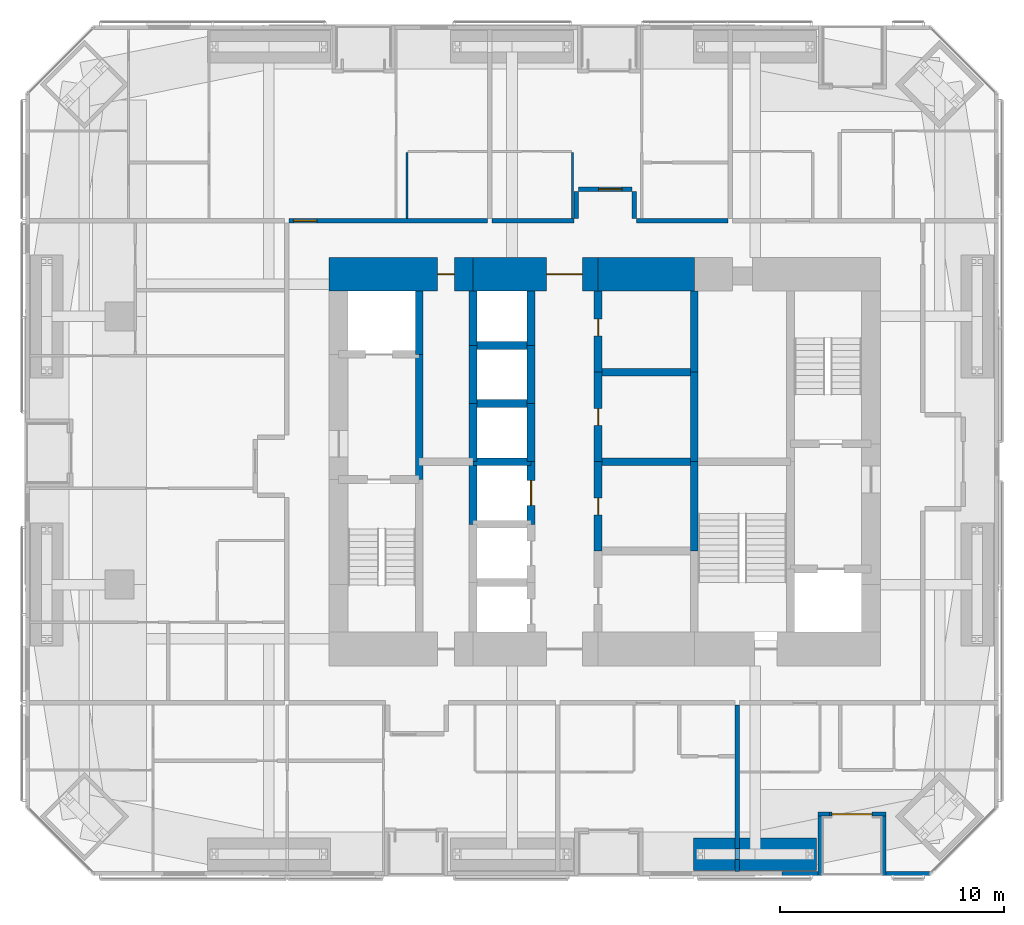
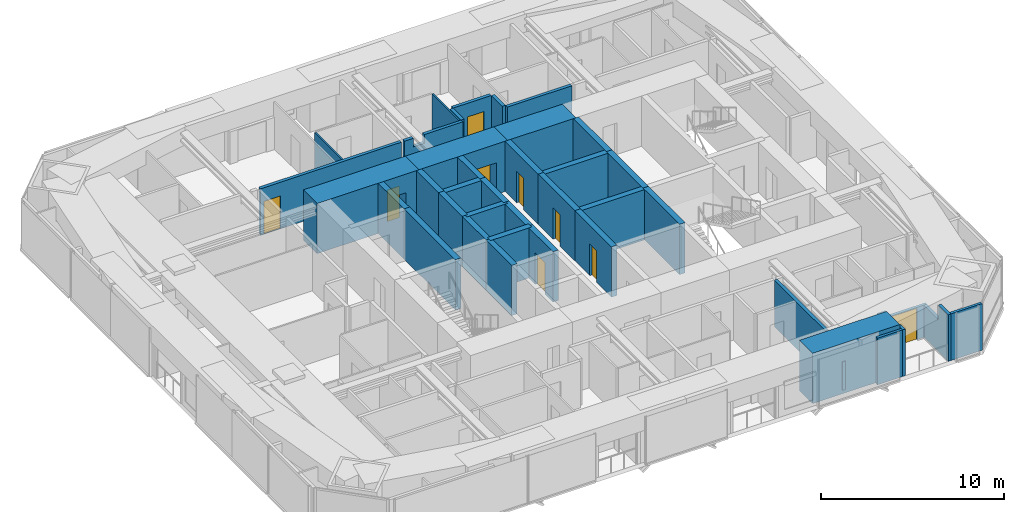
# One storey, part 19 of 23: 40 walls, 9 doors, 9 openings.
"""IFC4 building model written with IfcOpenShell, lengths in metres."""

import ifcopenshell
import ifcopenshell.guid

model = None  # the IFC model being written
_history = None  # IfcOwnerHistory: only IFC2X3 demands one
_inside = {}  # id of a spatial element -> (the spatial element, [elements in it])
_under = {}  # id of a project, library or spatial element -> (it, [spatial elements below it])
_declared = {}  # id of a project -> (the project, [libraries it declares])
_typed = {}  # id of a type object -> (the type object, [elements of that type])
_made_of = {}  # id of a material, layer set ... -> (it, [elements and type objects made of it])


def new_model(schema):
    """Start an empty IFC model of exactly this schema.

    Asked for "IFC4X3", IfcOpenShell would pick the latest addendum, in which some entities
    have other attributes; the version numbers below select the first issue.
    IFC2X3 requires an IfcOwnerHistory on every rooted entity: one is made here for all.
    """
    global model, _history
    if schema == "IFC4X3":
        model = ifcopenshell.file(schema_version=(4, 3, 0, 0))
    else:
        model = ifcopenshell.file(schema=schema)
    _inside.clear()
    _under.clear()
    _declared.clear()
    _typed.clear()
    _made_of.clear()
    _history = None
    if model.schema == "IFC2X3":
        org = make("IfcOrganization", Name="unknown")
        user = make(
            "IfcPersonAndOrganization",
            ThePerson=make("IfcPerson", FamilyName="unknown"),
            TheOrganization=org,
        )
        app = make(
            "IfcApplication",
            ApplicationDeveloper=org,
            Version="unknown",
            ApplicationFullName="unknown",
            ApplicationIdentifier="unknown",
        )
        _history = make(
            "IfcOwnerHistory",
            OwningUser=user,
            OwningApplication=app,
            ChangeAction="ADDED",
            CreationDate=0,
        )
    return model


def make(cls, **values):
    """One entity of the class cls with the attributes given. An attribute that is None is left unset."""
    return model.create_entity(
        cls, **{name: value for name, value in values.items() if value is not None}
    )


def rooted(cls, **values):
    """An entity with a GlobalId (a new one), such as an element, a storey or a relation."""
    return make(cls, GlobalId=ifcopenshell.guid.new(), OwnerHistory=_history, **values)


def si_unit(unit_type, name, prefix=None):
    """IfcSIUnit, for example si_unit("LENGTHUNIT", "METRE", prefix="MILLI")."""
    return make("IfcSIUnit", UnitType=unit_type, Prefix=prefix, Name=name)


def assignment(units):
    """IfcUnitAssignment: the units of a project."""
    return None if units is None else make("IfcUnitAssignment", Units=units)


def point(xyz):
    """IfcCartesianPoint."""
    return None if xyz is None else make("IfcCartesianPoint", Coordinates=xyz)


def direction(xyz):
    """IfcDirection."""
    return None if xyz is None else make("IfcDirection", DirectionRatios=xyz)


def frame(location, z_axis=None, x_axis=None):
    """IfcAxis2Placement3D, a coordinate frame: its origin and axes. An axis left out is left unset."""
    return make(
        "IfcAxis2Placement3D",
        Location=point(location),
        Axis=direction(z_axis),
        RefDirection=direction(x_axis),
    )


def frame_2d(location, x_axis=None):
    """IfcAxis2Placement2D, a coordinate frame in the plane: its origin and x axis."""
    return make(
        "IfcAxis2Placement2D", Location=point(location), RefDirection=direction(x_axis)
    )


def origin():
    """The frame at (0, 0, 0) with its axes left unset."""
    return frame((0.0, 0.0, 0.0))


def place(relative_to, where):
    """IfcLocalPlacement: puts the frame where relative to a parent placement (None: the world)."""
    return make(
        "IfcLocalPlacement", PlacementRelTo=relative_to, RelativePlacement=where
    )


def context(
    kind, dimensions, precision=None, world=None, true_north=None, identifier=None
):
    """IfcGeometricRepresentationContext, for example the 3D "Model" context."""
    return make(
        "IfcGeometricRepresentationContext",
        ContextIdentifier=identifier,
        ContextType=kind,
        CoordinateSpaceDimension=dimensions,
        Precision=precision,
        WorldCoordinateSystem=world,
        TrueNorth=true_north,
    )


def subcontext(parent, identifier, kind, view, scale=None):
    """IfcGeometricRepresentationSubContext, for example "Body" below "Model"."""
    return make(
        "IfcGeometricRepresentationSubContext",
        ContextIdentifier=identifier,
        ContextType=kind,
        ParentContext=parent,
        TargetScale=scale,
        TargetView=view,
    )


def project(units=None, contexts=None):
    """IfcProject with its units and contexts."""
    return rooted(
        "IfcProject",
        Name="project",
        RepresentationContexts=contexts,
        UnitsInContext=assignment(units),
    )


def spatial(cls, under=None, at=None, **own):
    """A site, building, storey or space (cls), placed at a placement, below another one or the project."""
    s = rooted(cls, ObjectPlacement=at, **own)
    if under is not None:
        _under.setdefault(under.id(), (under, []))[1].append(s)
    return s


def polyline(points):
    """IfcPolyline through the points."""
    return make("IfcPolyline", Points=[point(p) for p in points])


def profile(cls, at=None, kind="AREA", **sizes):
    """A parametric profile (cls). Its sizes go by their IFC names, for example OverallWidth=200.0."""
    return make(cls, ProfileType=kind, Position=at, **sizes)


def rectangle(**sizes):
    """IfcRectangleProfileDef."""
    return profile("IfcRectangleProfileDef", **sizes)


def outline(outer, holes=None, kind="AREA"):
    """IfcArbitraryClosedProfileDef: a profile drawn as a closed curve; with holes, ...WithVoids."""
    if holes is None:
        return make("IfcArbitraryClosedProfileDef", ProfileType=kind, OuterCurve=outer)
    return make(
        "IfcArbitraryProfileDefWithVoids",
        ProfileType=kind,
        OuterCurve=outer,
        InnerCurves=holes,
    )


def extrude(swept, where, along, depth):
    """IfcExtrudedAreaSolid: the profile swept, set in the frame where, extruded along a direction by depth."""
    return make(
        "IfcExtrudedAreaSolid",
        SweptArea=swept,
        Position=where,
        ExtrudedDirection=direction(along),
        Depth=depth,
    )


def shape(context_of_items, identifier, shape_type, items):
    """IfcShapeRepresentation: the items that make up one representation, for example the "Body"."""
    return make(
        "IfcShapeRepresentation",
        ContextOfItems=context_of_items,
        RepresentationIdentifier=identifier,
        RepresentationType=shape_type,
        Items=items,
    )


def material(Name=None, Category=None):
    """IfcMaterial."""
    return make("IfcMaterial", Name=Name, Category=Category)


def layer(
    of_material, thickness, ventilated=None, Name=None, Category=None, Priority=None
):
    """IfcMaterialLayer: one layer of a wall or slab, of a material (None: an air gap)."""
    return make(
        "IfcMaterialLayer",
        Material=of_material,
        LayerThickness=thickness,
        IsVentilated=ventilated,
        Name=Name,
        Category=Category,
        Priority=Priority,
    )


def layer_set(layers, Name=None):
    """IfcMaterialLayerSet."""
    return make("IfcMaterialLayerSet", MaterialLayers=layers, LayerSetName=Name)


def constituent(of_material, Name=None, Category=None, fraction=None):
    """IfcMaterialConstituent: one of the materials an element consists of."""
    return make(
        "IfcMaterialConstituent",
        Name=Name,
        Material=of_material,
        Fraction=fraction,
        Category=Category,
    )


def constituent_set(constituents=None, Name=None):
    """IfcMaterialConstituentSet."""
    return make(
        "IfcMaterialConstituentSet", Name=Name, MaterialConstituents=constituents
    )


def made_of(thing, what):
    """Note that an element or type object is made of a material, layer set ...; save() writes the relation."""
    if what is not None:
        _made_of.setdefault(what.id(), (what, []))[1].append(thing)
    return thing


def type_object(cls, material=None, **own):
    """A type object (cls), such as IfcWallType, which elements share."""
    return made_of(rooted(cls, **own), material)


def element(
    cls,
    number,
    at=None,
    inside=None,
    cuts=None,
    type_object=None,
    material=None,
    context=None,
    identifier="Body",
    shape_type=None,
    held_by="IfcProductDefinitionShape",
    body=None,
    shapes=None,
    **own,
):
    """One element of the class cls, such as IfcWall. Its Tag is "e" and its number.

    at: its placement. inside: the storey or other place that contains it. cuts: it is an
    opening in that element (IfcRelVoidsElement). A single representation is given by context,
    identifier, shape_type and body (its items); several are given by shapes. held_by: the class
    of the entity that holds the representations. save() writes the other relations.
    """
    e = rooted(cls, Tag="e%d" % number, ObjectPlacement=at, **own)
    if body is not None:
        shapes = [shape(context, identifier, shape_type, body)]
    if shapes is not None:
        e.Representation = make(held_by, Representations=shapes)
    if inside is not None:
        _inside.setdefault(inside.id(), (inside, []))[1].append(e)
    if cuts is not None:
        rooted(
            "IfcRelVoidsElement", RelatingBuildingElement=cuts, RelatedOpeningElement=e
        )
    if type_object is not None:
        _typed.setdefault(type_object.id(), (type_object, []))[1].append(e)
    return made_of(e, material)


def fill(opening, filler):
    """IfcRelFillsElement: the door or window that sits in an opening."""
    return rooted(
        "IfcRelFillsElement",
        RelatingOpeningElement=opening,
        RelatedBuildingElement=filler,
    )


def aggregate(whole, parts):
    """IfcRelAggregates: a whole, such as a stair, and the parts it consists of."""
    return rooted("IfcRelAggregates", RelatingObject=whole, RelatedObjects=parts)


def save(model, path):
    """Write the relations noted so far, then the file.

    IfcRelAggregates (storeys below a building ...), IfcRelContainedInSpatialStructure (elements
    in a storey), IfcRelDefinesByType, IfcRelAssociatesMaterial and IfcRelDeclares: one each for
    every whole, place, type object, material and project.
    """
    for whole, parts in _under.values():
        aggregate(whole, parts)
    for where, things in _inside.values():
        rooted(
            "IfcRelContainedInSpatialStructure",
            RelatedElements=things,
            RelatingStructure=where,
        )
    for kind, things in _typed.values():
        rooted("IfcRelDefinesByType", RelatedObjects=things, RelatingType=kind)
    for what, things in _made_of.values():
        rooted("IfcRelAssociatesMaterial", RelatedObjects=things, RelatingMaterial=what)
    for by, libraries in _declared.values():
        rooted("IfcRelDeclares", RelatingContext=by, RelatedDefinitions=libraries)
    model.write(path)


model = new_model("IFC4")

# Units and contexts
model_context = context("Model", 3, precision=1e-05, world=origin(), true_north=direction((0.0, 1.0)))
body_context = subcontext(model_context, "Body", "Model", "MODEL_VIEW")
ifc_project = project(units=[si_unit("LENGTHUNIT", "METRE"), si_unit("AREAUNIT", "SQUARE_METRE"), si_unit("VOLUMEUNIT", "CUBIC_METRE"), si_unit("PLANEANGLEUNIT", "RADIAN"), si_unit("MASSUNIT", "GRAM", prefix="KILO")], contexts=[model_context])

# Site, building, storey
site_placement = place(None, origin())
site = spatial("IfcSite", under=ifc_project, at=site_placement, CompositionType="ELEMENT")
building_placement = place(site_placement, origin())
building = spatial("IfcBuilding", under=site, at=building_placement, Name="Jalousie Tower", CompositionType="ELEMENT")
storey_placement = place(building_placement, frame((0.0, 0.0, 84.75)))
storey = spatial("IfcBuildingStorey", under=building, at=storey_placement, Name="L22", CompositionType="ELEMENT", Elevation=84.75)

# Wall
ifc_material_1 = material(Name="Concrete f'c 120 MPa", Category="concrete")
ifc_layer_1 = layer(ifc_material_1, 1.5)
ifc_layer_set_1 = layer_set([ifc_layer_1], Name="Concrete f'c 120 MPa")
wall_type_1 = type_object("IfcWallType", Name="CORE WALL 1500", PredefinedType="SHEAR", material=ifc_layer_set_1)
wall_1_placement = place(storey_placement, frame((35.89990234375, 26.875, 0.0), z_axis=(0.0, 0.0, 1.0), x_axis=(-1.0, 0.0, 0.0)))
element("IfcWall", 1, at=wall_1_placement, inside=storey, type_object=wall_type_1, Name="Core wall NB L22", PredefinedType="SHEAR", context=body_context, shape_type="SweptSolid", body=[
    extrude(rectangle(XDim=4.2998046875, YDim=1.5, at=frame_2d((2.14990234375, 0.0))), origin(), (0.0, 0.0, 1.0), 3.35009765625),
])

# Wall, opening, door
wall_2_placement = place(storey_placement, frame((31.60009765625, 26.875, 0.0), z_axis=(0.0, 0.0, 1.0), x_axis=(-1.0, 0.0, 0.0)))
wall_2 = element("IfcWall", 2, at=wall_2_placement, inside=storey, type_object=wall_type_1, Name="Core wall NC L22", PredefinedType="SHEAR", context=body_context, shape_type="SweptSolid", body=[
    extrude(rectangle(XDim=5.60009765625, YDim=1.5, at=frame_2d((2.800048828125, 0.0))), origin(), (0.0, 0.0, 1.0), 3.35009765625),
])
opening_1_placement = place(wall_2_placement, frame((0.699951171875, 0.0, 0.0)))
opening_1 = element("IfcOpeningElement", 3, at=opening_1_placement, cuts=wall_2, Name="Opening D15", PredefinedType="OPENING", context=body_context, shape_type="SweptSolid", body=[
    extrude(rectangle(XDim=1.60009765625, YDim=2.10009765625, at=frame_2d((0.800048828125, 1.050048828125))), frame((0.0, 0.760009765625, 0.0), z_axis=(0.0, -1.0, 0.0), x_axis=(1.0, 0.0, 0.0)), (0.0, 0.0, 1.0), 1.52001953125),
])
ifc_material_2 = material(Name="Steel fire door", Category="steel")
door_type_1 = type_object("IfcDoorType", Name="LIFT LOBBY DOOR 1600", OperationType="DOUBLE_DOOR_SINGLE_SWING", PredefinedType="DOOR", material=ifc_material_2)
door_1_placement = place(opening_1_placement, origin())
door_1 = element("IfcDoor", 4, at=door_1_placement, inside=storey, type_object=door_type_1, Name="Lift lobby north door", OperationType="DOUBLE_DOOR_SINGLE_SWING", OverallHeight=2.10009765625, OverallWidth=1.60009765625, PredefinedType="DOOR", context=body_context, shape_type="SweptSolid", body=[
    extrude(rectangle(XDim=1.60009765625, YDim=2.10009765625, at=frame_2d((0.800048828125, 1.050048828125))), frame((0.0, 0.02490234375, 0.0), z_axis=(0.0, -1.0, 0.0), x_axis=(1.0, 0.0, 0.0)), (0.0, 0.0, 1.0), 0.050048828125),
])
fill(opening_1, door_1)

wall_3_placement = place(storey_placement, frame((26.0, 26.875, 0.0), z_axis=(0.0, 0.0, 1.0), x_axis=(-1.0, 0.0, 0.0)))
wall_3 = element("IfcWall", 5, at=wall_3_placement, inside=storey, type_object=wall_type_1, Name="Core wall ND L22", PredefinedType="SHEAR", context=body_context, shape_type="SweptSolid", body=[
    extrude(rectangle(XDim=6.425048828125, YDim=1.5, at=frame_2d((3.21240234375, 0.0))), origin(), (0.0, 0.0, 1.0), 3.35009765625),
])
opening_2_placement = place(wall_3_placement, frame((0.824951171875, 0.0, 0.0)))
opening_2 = element("IfcOpeningElement", 6, at=opening_2_placement, cuts=wall_3, Name="Opening D16", PredefinedType="OPENING", context=body_context, shape_type="SweptSolid", body=[
    extrude(rectangle(XDim=0.75, YDim=2.10009765625, at=frame_2d((0.375, 1.050048828125))), frame((0.0, 0.760009765625, 0.0), z_axis=(0.0, -1.0, 0.0), x_axis=(1.0, 0.0, 0.0)), (0.0, 0.0, 1.0), 1.52001953125),
])
ifc_material_3 = material(Name="Steel fire door", Category="steel")
door_type_2 = type_object("IfcDoorType", Name="RISER DOOR 750", OperationType="SINGLE_SWING_LEFT", PredefinedType="DOOR", material=ifc_material_3)
door_2_placement = place(opening_2_placement, origin())
door_2 = element("IfcDoor", 7, at=door_2_placement, inside=storey, type_object=door_type_2, Name="North riser door", OperationType="SINGLE_SWING_RIGHT", OverallHeight=2.10009765625, OverallWidth=0.75, PredefinedType="DOOR", context=body_context, shape_type="SweptSolid", body=[
    extrude(rectangle(XDim=0.75, YDim=2.10009765625, at=frame_2d((0.375, 1.050048828125))), frame((0.0, 0.02490234375, 0.0), z_axis=(0.0, -1.0, 0.0), x_axis=(1.0, 0.0, 0.0)), (0.0, 0.0, 1.0), 0.050048828125),
])
fill(opening_2, door_2)

# Walls
ifc_material_4 = material(Name="Concrete f'c 120 MPa", Category="concrete")
ifc_layer_2 = layer(ifc_material_4, 0.35009765625)
ifc_layer_set_2 = layer_set([ifc_layer_2], Name="Concrete f'c 120 MPa")
wall_type_2 = type_object("IfcWallType", Name="CORE WALL 350", PredefinedType="SHEAR", material=ifc_layer_set_2)
wall_4_placement = place(storey_placement, frame((23.60009765625, 17.699951171875, 0.0), z_axis=(0.0, 0.0, 1.0), x_axis=(0.0, 1.0, 0.0)))
element("IfcWall", 8, at=wall_4_placement, inside=storey, type_object=wall_type_2, Name="Core wall X23.6B L22", PredefinedType="SHEAR", context=body_context, shape_type="SweptSolid", body=[
    extrude(rectangle(XDim=5.60009765625, YDim=0.35009765625, at=frame_2d((2.800048828125, 0.0))), origin(), (0.0, 0.0, 1.0), 3.35009765625),
])
wall_5_placement = place(storey_placement, frame((23.60009765625, 23.300048828125, 0.0), z_axis=(0.0, 0.0, 1.0), x_axis=(0.0, 1.0, 0.0)))
element("IfcWall", 9, at=wall_5_placement, inside=storey, type_object=wall_type_2, Name="Core wall X23.6C L22", PredefinedType="SHEAR", context=body_context, shape_type="SweptSolid", body=[
    extrude(rectangle(XDim=2.824951171875, YDim=0.35009765625, at=frame_2d((1.41259765625, 0.0))), origin(), (0.0, 0.0, 1.0), 3.35009765625),
])
wall_6_placement = place(storey_placement, frame((26.0, 15.699951171875, 0.0), z_axis=(0.0, 0.0, 1.0), x_axis=(0.0, 1.0, 0.0)))
element("IfcWall", 10, at=wall_6_placement, inside=storey, type_object=wall_type_2, Name="Core wall X26C L22", PredefinedType="SHEAR", context=body_context, shape_type="SweptSolid", body=[
    extrude(rectangle(XDim=2.800048828125, YDim=0.35009765625, at=frame_2d((1.39990234375, 0.0))), origin(), (0.0, 0.0, 1.0), 3.35009765625),
])
wall_7_placement = place(storey_placement, frame((26.0, 18.5, 0.0), z_axis=(0.0, 0.0, 1.0), x_axis=(0.0, 1.0, 0.0)))
element("IfcWall", 11, at=wall_7_placement, inside=storey, type_object=wall_type_2, Name="Core wall X26D L22", PredefinedType="SHEAR", context=body_context, shape_type="SweptSolid", body=[
    extrude(rectangle(XDim=2.60009765625, YDim=0.35009765625, at=frame_2d((1.300048828125, 0.0))), origin(), (0.0, 0.0, 1.0), 3.35009765625),
])
wall_8_placement = place(storey_placement, frame((26.0, 21.10009765625, 0.0), z_axis=(0.0, 0.0, 1.0), x_axis=(0.0, 1.0, 0.0)))
element("IfcWall", 12, at=wall_8_placement, inside=storey, type_object=wall_type_2, Name="Core wall X26E L22", PredefinedType="SHEAR", context=body_context, shape_type="SweptSolid", body=[
    extrude(rectangle(XDim=2.599853515625, YDim=0.35009765625, at=frame_2d((1.2998046875, 0.0))), origin(), (0.0, 0.0, 1.0), 3.35009765625),
])
wall_9_placement = place(storey_placement, frame((26.0, 23.699951171875, 0.0), z_axis=(0.0, 0.0, 1.0), x_axis=(0.0, 1.0, 0.0)))
element("IfcWall", 13, at=wall_9_placement, inside=storey, type_object=wall_type_2, Name="Core wall X26F L22", PredefinedType="SHEAR", context=body_context, shape_type="SweptSolid", body=[
    extrude(rectangle(XDim=2.425048828125, YDim=0.35009765625, at=frame_2d((1.21240234375, 0.0))), origin(), (0.0, 0.0, 1.0), 3.35009765625),
])

# Wall, opening, door
wall_10_placement = place(storey_placement, frame((28.60009765625, 15.699951171875, 0.0), z_axis=(0.0, 0.0, 1.0), x_axis=(0.0, 1.0, 0.0)))
wall_10 = element("IfcWall", 14, at=wall_10_placement, inside=storey, type_object=wall_type_2, Name="Core wall X28.6C L22", PredefinedType="SHEAR", context=body_context, shape_type="SweptSolid", body=[
    extrude(rectangle(XDim=2.800048828125, YDim=0.35009765625, at=frame_2d((1.39990234375, 0.0))), origin(), (0.0, 0.0, 1.0), 3.35009765625),
])
opening_3_placement = place(wall_10_placement, frame((0.85009765625, 0.0, 0.0)))
opening_3 = element("IfcOpeningElement", 15, at=opening_3_placement, cuts=wall_10, Name="Opening LD1", PredefinedType="OPENING", context=body_context, shape_type="SweptSolid", body=[
    extrude(rectangle(XDim=1.10009765625, YDim=2.10009765625, at=frame_2d((0.550048828125, 1.050048828125))), frame((0.0, 0.18505859375, 0.0), z_axis=(0.0, -1.0, 0.0), x_axis=(1.0, 0.0, 0.0)), (0.0, 0.0, 1.0), 0.3701171875),
])
ifc_material_5 = material(Name="Steel lift landing door", Category="steel")
door_type_3 = type_object("IfcDoorType", Name="LIFT LANDING DOOR 1100", OperationType="SLIDING_TO_LEFT", PredefinedType="DOOR", material=ifc_material_5)
door_3_placement = place(opening_3_placement, origin())
door_3 = element("IfcDoor", 16, at=door_3_placement, inside=storey, type_object=door_type_3, Name="Lift P3 landing door", OperationType="SLIDING_TO_LEFT", OverallHeight=2.10009765625, OverallWidth=1.10009765625, PredefinedType="DOOR", context=body_context, shape_type="SweptSolid", body=[
    extrude(rectangle(XDim=1.10009765625, YDim=2.10009765625, at=frame_2d((0.550048828125, 1.050048828125))), frame((0.0, 0.02490234375, 0.0), z_axis=(0.0, -1.0, 0.0), x_axis=(1.0, 0.0, 0.0)), (0.0, 0.0, 1.0), 0.050048828125),
])
fill(opening_3, door_3)

# Walls
wall_11_placement = place(storey_placement, frame((28.60009765625, 18.5, 0.0), z_axis=(0.0, 0.0, 1.0), x_axis=(0.0, 1.0, 0.0)))
element("IfcWall", 17, at=wall_11_placement, inside=storey, type_object=wall_type_2, Name="Core wall X28.6D L22", PredefinedType="SHEAR", context=body_context, shape_type="SweptSolid", body=[
    extrude(rectangle(XDim=2.60009765625, YDim=0.35009765625, at=frame_2d((1.300048828125, 0.0))), origin(), (0.0, 0.0, 1.0), 3.35009765625),
])
wall_12_placement = place(storey_placement, frame((28.60009765625, 21.10009765625, 0.0), z_axis=(0.0, 0.0, 1.0), x_axis=(0.0, 1.0, 0.0)))
element("IfcWall", 18, at=wall_12_placement, inside=storey, type_object=wall_type_2, Name="Core wall X28.6E L22", PredefinedType="SHEAR", context=body_context, shape_type="SweptSolid", body=[
    extrude(rectangle(XDim=2.599853515625, YDim=0.35009765625, at=frame_2d((1.2998046875, 0.0))), origin(), (0.0, 0.0, 1.0), 3.35009765625),
])
wall_13_placement = place(storey_placement, frame((28.60009765625, 23.699951171875, 0.0), z_axis=(0.0, 0.0, 1.0), x_axis=(0.0, 1.0, 0.0)))
element("IfcWall", 19, at=wall_13_placement, inside=storey, type_object=wall_type_2, Name="Core wall X28.6F L22", PredefinedType="SHEAR", context=body_context, shape_type="SweptSolid", body=[
    extrude(rectangle(XDim=2.425048828125, YDim=0.35009765625, at=frame_2d((1.21240234375, 0.0))), origin(), (0.0, 0.0, 1.0), 3.35009765625),
])

# Wall, opening, door
wall_14_placement = place(storey_placement, frame((31.60009765625, 14.5, 0.0), z_axis=(0.0, 0.0, 1.0), x_axis=(0.0, 1.0, 0.0)))
wall_14 = element("IfcWall", 20, at=wall_14_placement, inside=storey, type_object=wall_type_2, Name="Core wall X31.6B L22", PredefinedType="SHEAR", context=body_context, shape_type="SweptSolid", body=[
    extrude(rectangle(XDim=4.0, YDim=0.35009765625, at=frame_2d((2.0, 0.0))), origin(), (0.0, 0.0, 1.0), 3.35009765625),
])
opening_4_placement = place(wall_14_placement, frame((1.625, 0.0, 0.0)))
opening_4 = element("IfcOpeningElement", 21, at=opening_4_placement, cuts=wall_14, Name="Opening D16", PredefinedType="OPENING", context=body_context, shape_type="SweptSolid", body=[
    extrude(rectangle(XDim=0.75, YDim=2.10009765625, at=frame_2d((0.375, 1.050048828125))), frame((0.0, 0.18505859375, 0.0), z_axis=(0.0, -1.0, 0.0), x_axis=(1.0, 0.0, 0.0)), (0.0, 0.0, 1.0), 0.3701171875),
])
door_4_placement = place(opening_4_placement, frame((0.75, 0.0, 0.0), z_axis=(0.0, 0.0, 1.0), x_axis=(-1.0, 0.0, 0.0)))
door_4 = element("IfcDoor", 22, at=door_4_placement, inside=storey, type_object=door_type_2, Name="Electrical Room door", OperationType="SINGLE_SWING_RIGHT", OverallHeight=2.10009765625, OverallWidth=0.75, PredefinedType="DOOR", context=body_context, shape_type="SweptSolid", body=[
    extrude(rectangle(XDim=0.75, YDim=2.10009765625, at=frame_2d((0.375, 1.050048828125))), frame((0.0, 0.02490234375, 0.0), z_axis=(0.0, -1.0, 0.0), x_axis=(1.0, 0.0, 0.0)), (0.0, 0.0, 1.0), 0.050048828125),
])
fill(opening_4, door_4)

wall_15_placement = place(storey_placement, frame((31.60009765625, 18.5, 0.0), z_axis=(0.0, 0.0, 1.0), x_axis=(0.0, 1.0, 0.0)))
wall_15 = element("IfcWall", 23, at=wall_15_placement, inside=storey, type_object=wall_type_2, Name="Core wall X31.6C L22", PredefinedType="SHEAR", context=body_context, shape_type="SweptSolid", body=[
    extrude(rectangle(XDim=4.0, YDim=0.35009765625, at=frame_2d((2.0, 0.0))), origin(), (0.0, 0.0, 1.0), 3.35009765625),
])
opening_5_placement = place(wall_15_placement, frame((1.625, 0.0, 0.0)))
opening_5 = element("IfcOpeningElement", 24, at=opening_5_placement, cuts=wall_15, Name="Opening D16", PredefinedType="OPENING", context=body_context, shape_type="SweptSolid", body=[
    extrude(rectangle(XDim=0.75, YDim=2.10009765625, at=frame_2d((0.375, 1.050048828125))), frame((0.0, 0.18505859375, 0.0), z_axis=(0.0, -1.0, 0.0), x_axis=(1.0, 0.0, 0.0)), (0.0, 0.0, 1.0), 0.3701171875),
])
door_5_placement = place(opening_5_placement, frame((0.75, 0.0, 0.0), z_axis=(0.0, 0.0, 1.0), x_axis=(-1.0, 0.0, 0.0)))
door_5 = element("IfcDoor", 25, at=door_5_placement, inside=storey, type_object=door_type_2, Name="Telecom Room door", OperationType="SINGLE_SWING_RIGHT", OverallHeight=2.10009765625, OverallWidth=0.75, PredefinedType="DOOR", context=body_context, shape_type="SweptSolid", body=[
    extrude(rectangle(XDim=0.75, YDim=2.10009765625, at=frame_2d((0.375, 1.050048828125))), frame((0.0, 0.02490234375, 0.0), z_axis=(0.0, -1.0, 0.0), x_axis=(1.0, 0.0, 0.0)), (0.0, 0.0, 1.0), 0.050048828125),
])
fill(opening_5, door_5)

wall_16_placement = place(storey_placement, frame((31.60009765625, 22.5, 0.0), z_axis=(0.0, 0.0, 1.0), x_axis=(0.0, 1.0, 0.0)))
wall_16 = element("IfcWall", 26, at=wall_16_placement, inside=storey, type_object=wall_type_2, Name="Core wall X31.6D L22", PredefinedType="SHEAR", context=body_context, shape_type="SweptSolid", body=[
    extrude(rectangle(XDim=3.625, YDim=0.35009765625, at=frame_2d((1.8125, 0.0))), origin(), (0.0, 0.0, 1.0), 3.35009765625),
])
opening_6_placement = place(wall_16_placement, frame((1.625, 0.0, 0.0)))
opening_6 = element("IfcOpeningElement", 27, at=opening_6_placement, cuts=wall_16, Name="Opening D16", PredefinedType="OPENING", context=body_context, shape_type="SweptSolid", body=[
    extrude(rectangle(XDim=0.75, YDim=2.10009765625, at=frame_2d((0.375, 1.050048828125))), frame((0.0, 0.18505859375, 0.0), z_axis=(0.0, -1.0, 0.0), x_axis=(1.0, 0.0, 0.0)), (0.0, 0.0, 1.0), 0.3701171875),
])
door_6_placement = place(opening_6_placement, frame((0.75, 0.0, 0.0), z_axis=(0.0, 0.0, 1.0), x_axis=(-1.0, 0.0, 0.0)))
door_6 = element("IfcDoor", 28, at=door_6_placement, inside=storey, type_object=door_type_2, Name="Water Services Room door", OperationType="SINGLE_SWING_LEFT", OverallHeight=2.10009765625, OverallWidth=0.75, PredefinedType="DOOR", context=body_context, shape_type="SweptSolid", body=[
    extrude(rectangle(XDim=0.75, YDim=2.10009765625, at=frame_2d((0.375, 1.050048828125))), frame((0.0, 0.02490234375, 0.0), z_axis=(0.0, -1.0, 0.0), x_axis=(1.0, 0.0, 0.0)), (0.0, 0.0, 1.0), 0.050048828125),
])
fill(opening_6, door_6)

# Walls
for number, where, z_axis, x_axis, name in (
    (29, (35.89990234375, 14.5, 0.0), (0.0, 0.0, 1.0), (0.0, 1.0, 0.0), "Core wall X35.9B L22"),
    (30, (35.89990234375, 18.5, 0.0), (0.0, 0.0, 1.0), (0.0, 1.0, 0.0), "Core wall X35.9C L22"),
):
    element("IfcWall", number, at=place(storey_placement, frame(where, z_axis=z_axis, x_axis=x_axis)), inside=storey, type_object=wall_type_2, Name=name, PredefinedType="SHEAR", context=body_context, shape_type="SweptSolid", body=[
        extrude(rectangle(XDim=4.0, YDim=0.35009765625, at=frame_2d((2.0, 0.0))), origin(), (0.0, 0.0, 1.0), 3.35009765625),
    ])
wall_17_placement = place(storey_placement, frame((35.89990234375, 22.5, 0.0), z_axis=(0.0, 0.0, 1.0), x_axis=(0.0, 1.0, 0.0)))
element("IfcWall", 31, at=wall_17_placement, inside=storey, type_object=wall_type_2, Name="Core wall X35.9D L22", PredefinedType="SHEAR", context=body_context, shape_type="SweptSolid", body=[
    extrude(rectangle(XDim=3.625, YDim=0.35009765625, at=frame_2d((1.8125, 0.0))), origin(), (0.0, 0.0, 1.0), 3.35009765625),
])
for number, where, z_axis, x_axis, name in (
    (32, (26.0, 18.5, 0.0), (0.0, 0.0, 1.0), (1.0, 0.0, 0.0), "Core wall Y26-18.5 L22"),
    (33, (26.0, 21.10009765625, 0.0), (0.0, 0.0, 1.0), (1.0, 0.0, 0.0), "Core wall Y26-21.1 L22"),
    (34, (26.0, 23.699951171875, 0.0), (0.0, 0.0, 1.0), (1.0, 0.0, 0.0), "Core wall Y26-23.7 L22"),
):
    element("IfcWall", number, at=place(storey_placement, frame(where, z_axis=z_axis, x_axis=x_axis)), inside=storey, type_object=wall_type_2, Name=name, PredefinedType="SHEAR", context=body_context, shape_type="SweptSolid", body=[
        extrude(rectangle(XDim=2.60009765625, YDim=0.35009765625, at=frame_2d((1.300048828125, 0.0))), origin(), (0.0, 0.0, 1.0), 3.35009765625),
    ])
for number, where, z_axis, x_axis, name in (
    (35, (31.60009765625, 18.5, 0.0), (0.0, 0.0, 1.0), (1.0, 0.0, 0.0), "Core wall Y31.6-18.5 L22"),
    (36, (31.60009765625, 22.5, 0.0), (0.0, 0.0, 1.0), (1.0, 0.0, 0.0), "Core wall Y31.6-22.5 L22"),
):
    element("IfcWall", number, at=place(storey_placement, frame(where, z_axis=z_axis, x_axis=x_axis)), inside=storey, type_object=wall_type_2, Name=name, PredefinedType="SHEAR", context=body_context, shape_type="SweptSolid", body=[
        extrude(rectangle(XDim=4.2998046875, YDim=0.35009765625, at=frame_2d((2.14990234375, 0.0))), origin(), (0.0, 0.0, 1.0), 3.35009765625),
    ])

# Wall, opening, door
ifc_material_6 = material(Name="Concrete block ASTM C90", Category="concrete")
ifc_constituent_1 = constituent(ifc_material_6, Name="Body")
ifc_material_7 = material(Name="Render")
ifc_constituent_2 = constituent(ifc_material_7, Name="Finish")
ifc_constituent_set_1 = constituent_set(constituents=[ifc_constituent_1, ifc_constituent_2])
wall_type_3 = type_object("IfcWallType", Name="CORRIDOR WALL 200", PredefinedType="PARTITIONING", material=ifc_constituent_set_1)
wall_18_placement = place(storey_placement, frame((17.77490234375, 29.27490234375, 0.0), z_axis=(0.0, 0.0, 1.0), x_axis=(1.0, 0.0, 0.0)))
wall_18 = element("IfcWall", 37, at=wall_18_placement, inside=storey, type_object=wall_type_3, Name="Corridor Wall 200 L22", PredefinedType="PARTITIONING", context=body_context, shape_type="SweptSolid", body=[
    extrude(rectangle(XDim=8.875, YDim=0.199951171875, at=frame_2d((4.4375, 0.0))), origin(), (0.0, 0.0, 1.0), 3.110107421875),
])
opening_7_placement = place(wall_18_placement, frame((0.199951171875, 0.0, 0.0)))
opening_7 = element("IfcOpeningElement", 38, at=opening_7_placement, cuts=wall_18, Name="Opening D1", PredefinedType="OPENING", context=body_context, shape_type="SweptSolid", body=[
    extrude(rectangle(XDim=1.050048828125, YDim=2.199951171875, at=frame_2d((0.52490234375, 1.10009765625))), frame((0.0, 0.10986328125, 0.0), z_axis=(0.0, -1.0, 0.0), x_axis=(1.0, 0.0, 0.0)), (0.0, 0.0, 1.0), 0.219970703125),
])
ifc_material_8 = material(Name="Timber fire door", Category="wood")
door_type_4 = type_object("IfcDoorType", Name="APARTMENT ENTRANCE DOOR 1050", OperationType="SINGLE_SWING_LEFT", PredefinedType="DOOR", material=ifc_material_8)
door_7_placement = place(opening_7_placement, origin())
door_7 = element("IfcDoor", 39, at=door_7_placement, inside=storey, type_object=door_type_4, Name="Apartment 2204 entrance", OperationType="SINGLE_SWING_LEFT", OverallHeight=2.199951171875, OverallWidth=1.050048828125, PredefinedType="DOOR", context=body_context, shape_type="SweptSolid", body=[
    extrude(rectangle(XDim=1.050048828125, YDim=2.199951171875, at=frame_2d((0.52490234375, 1.10009765625))), frame((0.0, 0.02490234375, 0.0), z_axis=(0.0, -1.0, 0.0), x_axis=(1.0, 0.0, 0.0)), (0.0, 0.0, 1.0), 0.050048828125),
])
fill(opening_7, door_7)

# Walls
wall_19_placement = place(storey_placement, frame((26.85009765625, 29.27490234375, 0.0), z_axis=(0.0, 0.0, 1.0), x_axis=(1.0, 0.0, 0.0)))
element("IfcWall", 40, at=wall_19_placement, inside=storey, type_object=wall_type_3, Name="Corridor Wall 200 L22", PredefinedType="PARTITIONING", context=body_context, shape_type="SweptSolid", body=[
    extrude(outline(polyline([(0.0, 0.0), (3.6748046875, 0.0), (3.675048828125, 3.110107421875), (1.24609375, 3.110107421875), (1.24609375, 2.531005859375), (0.5537109375, 2.531005859375), (0.5537109375, 3.110107421875), (0.0, 3.110107421875), (0.0, 0.0)])), frame((0.0, 0.10009765625, 0.0), z_axis=(0.0, -1.0, 0.0), x_axis=(1.0, 0.0, 0.0)), (0.0, 0.0, 1.0), 0.199951171875),
])
wall_20_placement = place(storey_placement, frame((33.324951171875, 29.27490234375, 0.0), z_axis=(0.0, 0.0, 1.0), x_axis=(1.0, 0.0, 0.0)))
element("IfcWall", 41, at=wall_20_placement, inside=storey, type_object=wall_type_3, Name="Corridor Wall 200 L22", PredefinedType="PARTITIONING", context=body_context, shape_type="SweptSolid", body=[
    extrude(rectangle(XDim=4.074951171875, YDim=0.199951171875, at=frame_2d((2.03759765625, 0.0))), origin(), (0.0, 0.0, 1.0), 3.110107421875),
])

# Wall, opening, door
wall_21_placement = place(storey_placement, frame((30.72509765625, 30.675048828125, 0.0), z_axis=(0.0, 0.0, 1.0), x_axis=(1.0, 0.0, 0.0)))
wall_21 = element("IfcWall", 42, at=wall_21_placement, inside=storey, type_object=wall_type_3, Name="Corridor Wall 200 L22", PredefinedType="PARTITIONING", context=body_context, shape_type="SweptSolid", body=[
    extrude(rectangle(XDim=2.39990234375, YDim=0.199951171875, at=frame_2d((1.199951171875, 0.0))), origin(), (0.0, 0.0, 1.0), 3.110107421875),
])
opening_8_placement = place(wall_21_placement, frame((0.89990234375, 0.0, 0.0)))
opening_8 = element("IfcOpeningElement", 43, at=opening_8_placement, cuts=wall_21, Name="Opening D1", PredefinedType="OPENING", context=body_context, shape_type="SweptSolid", body=[
    extrude(rectangle(XDim=1.050048828125, YDim=2.199951171875, at=frame_2d((0.52490234375, 1.10009765625))), frame((0.0, 0.10986328125, 0.0), z_axis=(0.0, -1.0, 0.0), x_axis=(1.0, 0.0, 0.0)), (0.0, 0.0, 1.0), 0.219970703125),
])
door_8_placement = place(opening_8_placement, origin())
door_8 = element("IfcDoor", 44, at=door_8_placement, inside=storey, type_object=door_type_4, Name="Apartment 2205 entrance", OperationType="SINGLE_SWING_RIGHT", OverallHeight=2.199951171875, OverallWidth=1.050048828125, PredefinedType="DOOR", context=body_context, shape_type="SweptSolid", body=[
    extrude(rectangle(XDim=1.050048828125, YDim=2.199951171875, at=frame_2d((0.52490234375, 1.10009765625))), frame((0.0, 0.02490234375, 0.0), z_axis=(0.0, -1.0, 0.0), x_axis=(1.0, 0.0, 0.0)), (0.0, 0.0, 1.0), 0.050048828125),
])
fill(opening_8, door_8)

# Walls
for number, where, z_axis, x_axis, name in (
    (45, (30.625, 29.375, 0.0), (0.0, 0.0, 1.0), (0.0, 1.0, 0.0), "Corridor Wall 200 L22"),
    (46, (33.22509765625, 29.375, 0.0), (0.0, 0.0, 1.0), (0.0, 1.0, 0.0), "Corridor Wall 200 L22"),
):
    element("IfcWall", number, at=place(storey_placement, frame(where, z_axis=z_axis, x_axis=x_axis)), inside=storey, type_object=wall_type_3, Name=name, PredefinedType="PARTITIONING", context=body_context, shape_type="SweptSolid", body=[
        extrude(rectangle(XDim=1.199951171875, YDim=0.199951171875, at=frame_2d((0.60009765625, 0.0))), origin(), (0.0, 0.0, 1.0), 3.110107421875),
    ])
ifc_material_9 = material(Name="Concrete f'c 40 MPa", Category="concrete")
ifc_constituent_3 = constituent(ifc_material_9, Name="Body")
ifc_material_10 = material(Name="Render, pastel sea green")
ifc_constituent_4 = constituent(ifc_material_10, Name="Finish")
ifc_constituent_set_2 = constituent_set(constituents=[ifc_constituent_3, ifc_constituent_4])
wall_type_4 = type_object("IfcWallType", Name="EXTERNAL WALL 175 SEA GREEN RENDER", PredefinedType="SOLIDWALL", material=ifc_constituent_set_2)
wall_22_placement = place(storey_placement, frame((39.8291015625, 0.08740234375, 0.0), z_axis=(0.0, 0.0, 1.0), x_axis=(1.0, 0.0, 0.0)))
element("IfcWall", 47, at=wall_22_placement, inside=storey, type_object=wall_type_4, Name="External Wall 175 Sea Green Render L22-B", PredefinedType="SOLIDWALL", context=body_context, shape_type="SweptSolid", body=[
    extrude(rectangle(XDim=1.595947265625, YDim=0.175048828125, at=frame_2d((0.7978515625, 0.0))), origin(), (0.0, 0.0, 1.0), 3.110107421875),
])
wall_23_placement = place(storey_placement, frame((44.47509765625, 0.08740234375, 0.0), z_axis=(0.0, 0.0, 1.0), x_axis=(1.0, 0.0, 0.0)))
element("IfcWall", 48, at=wall_23_placement, inside=storey, type_object=wall_type_4, Name="External Wall 175 Sea Green Render L22", PredefinedType="SOLIDWALL", context=body_context, shape_type="SweptSolid", body=[
    extrude(rectangle(XDim=1.9736328125, YDim=0.175048828125, at=frame_2d((0.98681640625, 0.0))), origin(), (0.0, 0.0, 1.0), 3.110107421875),
])
wall_24_placement = place(storey_placement, frame((41.425048828125, 2.737548828125, 0.0), z_axis=(0.0, 0.0, 1.0), x_axis=(1.0, 0.0, 0.0)))
element("IfcWall", 49, at=wall_24_placement, inside=storey, type_object=wall_type_4, Name="External Wall 175 Sea Green Render L22-A", PredefinedType="SOLIDWALL", context=body_context, shape_type="SweptSolid", body=[
    extrude(rectangle(XDim=0.531005859375, YDim=0.175048828125, at=frame_2d((0.265625, 0.0))), origin(), (0.0, 0.0, 1.0), 2.510009765625),
])

# Wall, opening, door
wall_25_placement = place(storey_placement, frame((41.9560546875, 2.737548828125, 0.0), z_axis=(0.0, 0.0, 1.0), x_axis=(1.0, 0.0, 0.0)))
wall_25 = element("IfcWall", 50, at=wall_25_placement, inside=storey, type_object=wall_type_4, Name="External Wall 175 Sea Green Render L22-B", PredefinedType="SOLIDWALL", context=body_context, shape_type="SweptSolid", body=[
    extrude(rectangle(XDim=2.51904296875, YDim=0.175048828125, at=frame_2d((1.259521484375, 0.0))), origin(), (0.0, 0.0, 1.0), 2.14990234375),
])
opening_9_placement = place(wall_25_placement, frame((0.093994140625, 0.0, 0.0)))
opening_9 = element("IfcOpeningElement", 51, at=opening_9_placement, cuts=wall_25, Name="Opening D-BAL21", PredefinedType="OPENING", context=body_context, shape_type="SweptSolid", body=[
    extrude(rectangle(XDim=1.800048828125, YDim=2.10009765625, at=frame_2d((0.89990234375, 1.050048828125))), frame((0.0, 0.097412109375, 0.0), z_axis=(0.0, -1.0, 0.0), x_axis=(1.0, 0.0, 0.0)), (0.0, 0.0, 1.0), 0.195068359375),
])
ifc_material_11 = material(Name="Aluminium frame, impact-rated glazing", Category="aluminium")
door_type_5 = type_object("IfcDoorType", Name="BALCONY DOOR 1800x2100", OperationType="SLIDING_TO_LEFT", PredefinedType="DOOR", material=ifc_material_11)
door_9_placement = place(opening_9_placement, origin())
door_9 = element("IfcDoor", 52, at=door_9_placement, inside=storey, type_object=door_type_5, Name="Apartment 2203 living and dining room loggia door", OperationType="SLIDING_TO_LEFT", OverallHeight=2.10009765625, OverallWidth=1.800048828125, PredefinedType="DOOR", context=body_context, shape_type="SweptSolid", body=[
    extrude(rectangle(XDim=1.800048828125, YDim=2.10009765625, at=frame_2d((0.89990234375, 1.050048828125))), frame((0.0, 0.02490234375, 0.0), z_axis=(0.0, -1.0, 0.0), x_axis=(1.0, 0.0, 0.0)), (0.0, 0.0, 1.0), 0.050048828125),
])
fill(opening_9, door_9)

# Walls
wall_26_placement = place(storey_placement, frame((41.512451171875, 0.0, 0.0), z_axis=(0.0, 0.0, 1.0), x_axis=(0.0, 1.0, 0.0)))
element("IfcWall", 53, at=wall_26_placement, inside=storey, type_object=wall_type_4, Name="External Wall 175 Sea Green Render L22", PredefinedType="SOLIDWALL", context=body_context, shape_type="SweptSolid", body=[
    extrude(outline(polyline([(0.0, 0.0), (2.64990234375, 0.0), (2.64990234375, 2.510009765625), (2.577392578125, 2.510009765625), (2.577392578125, 2.14990234375), (0.50048828125, 2.14990234375), (0.50048828125, 3.110107421875), (0.0, 3.110107421875), (0.0, 0.0)])), frame((0.0, 0.08740234375, 0.0), z_axis=(0.0, -1.0, 0.0), x_axis=(1.0, 0.0, 0.0)), (0.0, 0.0, 1.0), 0.175048828125),
])
wall_27_placement = place(storey_placement, frame((44.387451171875, 0.0, 0.0), z_axis=(0.0, 0.0, 1.0), x_axis=(0.0, 1.0, 0.0)))
element("IfcWall", 54, at=wall_27_placement, inside=storey, type_object=wall_type_4, Name="External Wall 175 Sea Green Render L22", PredefinedType="SOLIDWALL", context=body_context, shape_type="SweptSolid", body=[
    extrude(outline(polyline([(0.0, 0.0), (2.64990234375, 0.0), (2.64990234375, 2.14990234375), (1.0869140625, 2.14990234375), (1.0869140625, 3.110107421875), (0.0, 3.110107421875), (0.0, 0.0)])), frame((0.0, 0.08740234375, 0.0), z_axis=(0.0, -1.0, 0.0), x_axis=(1.0, 0.0, 0.0)), (0.0, 0.0, 1.0), 0.175048828125),
])
ifc_material_12 = material(Name="Gypsum board", Category="gypsum")
ifc_constituent_5 = constituent(ifc_material_12, Name="Body")
ifc_material_13 = material(Name="Light-gauge steel studs ASTM A653 SS Grade 33", Category="steel")
ifc_constituent_6 = constituent(ifc_material_13, Name="Framing")
ifc_constituent_set_3 = constituent_set(constituents=[ifc_constituent_5, ifc_constituent_6])
wall_type_5 = type_object("IfcWallType", Name="PARTITION 100", PredefinedType="PARTITIONING", material=ifc_constituent_set_3)
for number, where, z_axis, x_axis, name in (
    (55, (23.050048828125, 32.324951171875, 0.0), (0.0, 0.0, 1.0), (0.0, -1.0, 0.0), "Partition 100 L22"),
    (56, (30.449951171875, 32.324951171875, 0.0), (0.0, 0.0, 1.0), (0.0, -1.0, 0.0), "Partition 100 L22"),
):
    element("IfcWall", number, at=place(storey_placement, frame(where, z_axis=z_axis, x_axis=x_axis)), inside=storey, type_object=wall_type_5, Name=name, PredefinedType="PARTITIONING", context=body_context, shape_type="SweptSolid", body=[
        extrude(rectangle(XDim=2.949951171875, YDim=0.10009765625, at=frame_2d((1.47509765625, 0.0))), origin(), (0.0, 0.0, 1.0), 3.110107421875),
    ])
ifc_material_14 = material(Name="Concrete block ASTM C90", Category="concrete")
ifc_constituent_7 = constituent(ifc_material_14, Name="Body")
ifc_material_15 = material(Name="Render")
ifc_constituent_8 = constituent(ifc_material_15, Name="Finish")
ifc_constituent_set_4 = constituent_set(constituents=[ifc_constituent_7, ifc_constituent_8])
wall_type_6 = type_object("IfcWallType", Name="PARTY WALL 200", PredefinedType="PARTITIONING", material=ifc_constituent_set_4)
wall_28_placement = place(storey_placement, frame((37.824951171875, 0.175048828125, 0.0), z_axis=(0.0, 0.0, 1.0), x_axis=(0.0, 1.0, 0.0)))
element("IfcWall", 57, at=wall_28_placement, inside=storey, type_object=wall_type_6, Name="Party Wall 200 L22", PredefinedType="PARTITIONING", context=body_context, shape_type="SweptSolid", body=[
    extrude(outline(polyline([(1.885009765625, 2.14990234375), (0.0, 2.14990234375), (0.0, 0.265625), (0.52880859375, 0.265625), (0.52880859375, 0.68359375), (1.021240234375, 0.68359375), (1.021240234375, 0.265625), (1.534912109375, 0.265625), (1.534912109375, 0.0), (7.449951171875, 0.0), (7.449951171875, 3.110107421875), (1.885009765625, 3.110107421875), (1.885009765625, 2.14990234375)]), holes=[polyline([(0.52880859375, 1.016357421875), (0.52880859375, 1.92431640625), (1.021240234375, 1.92431640625), (1.021240234375, 1.016357421875), (0.52880859375, 1.016357421875)])]), frame((0.0, 0.10009765625, 0.0), z_axis=(0.0, -1.0, 0.0), x_axis=(1.0, 0.0, 0.0)), (0.0, 0.0, 1.0), 0.199951171875),
])
ifc_material_16 = material(Name="Concrete f'c 120 MPa", Category="concrete")
ifc_layer_3 = layer(ifc_material_16, 1.449951171875)
ifc_layer_set_3 = layer_set([ifc_layer_3], Name="Concrete f'c 120 MPa")
wall_type_7 = type_object("IfcWallType", Name="RC WALL PIER 1450", PredefinedType="SHEAR", material=ifc_layer_set_3)
wall_29_placement = place(storey_placement, frame((35.875, 0.949951171875, 0.0), z_axis=(0.0, 0.0, 1.0), x_axis=(1.0, 0.0, 0.0)))
element("IfcWall", 58, at=wall_29_placement, inside=storey, type_object=wall_type_7, Name="Wall pier 04 L22", PredefinedType="SHEAR", context=body_context, shape_type="SweptSolid", body=[
    extrude(rectangle(XDim=5.5, YDim=1.449951171875, at=frame_2d((2.75, 0.0))), origin(), (0.0, 0.0, 1.0), 3.35009765625),
])

save(model, "model.ifc")
